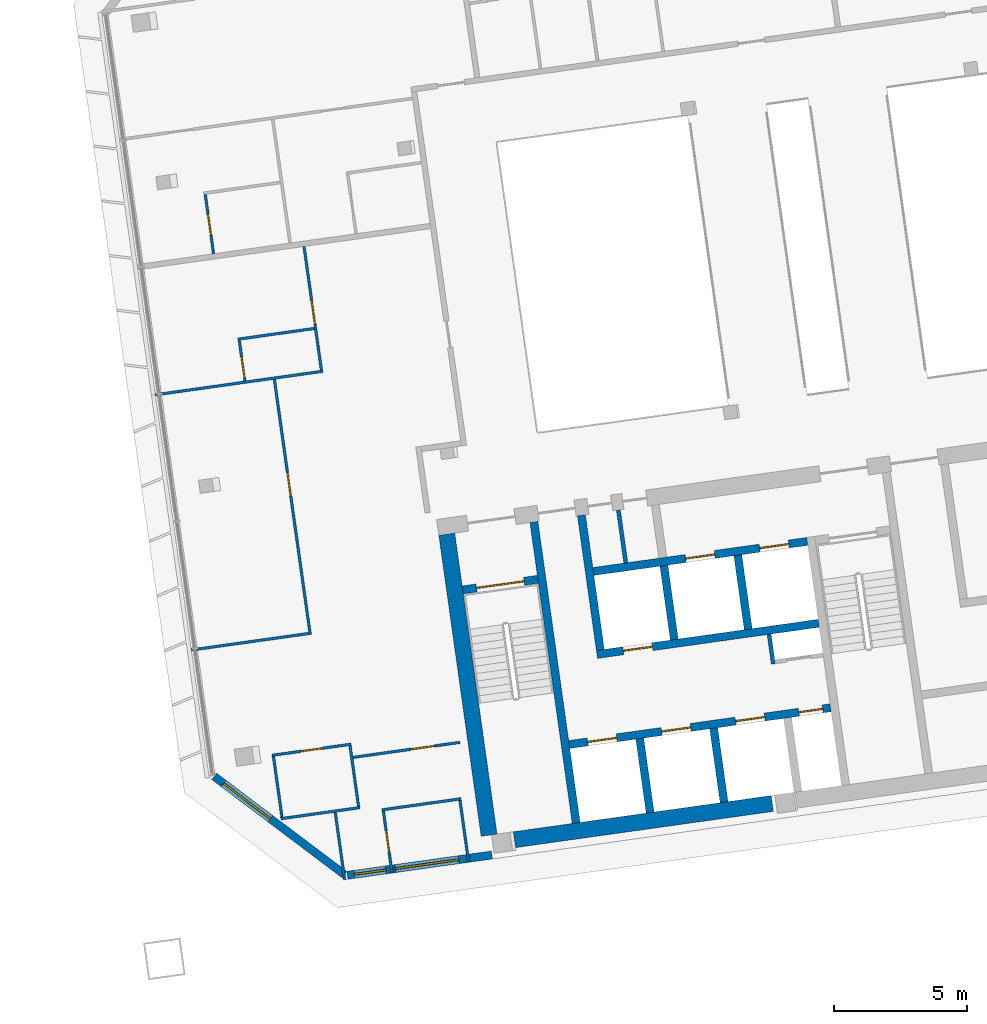
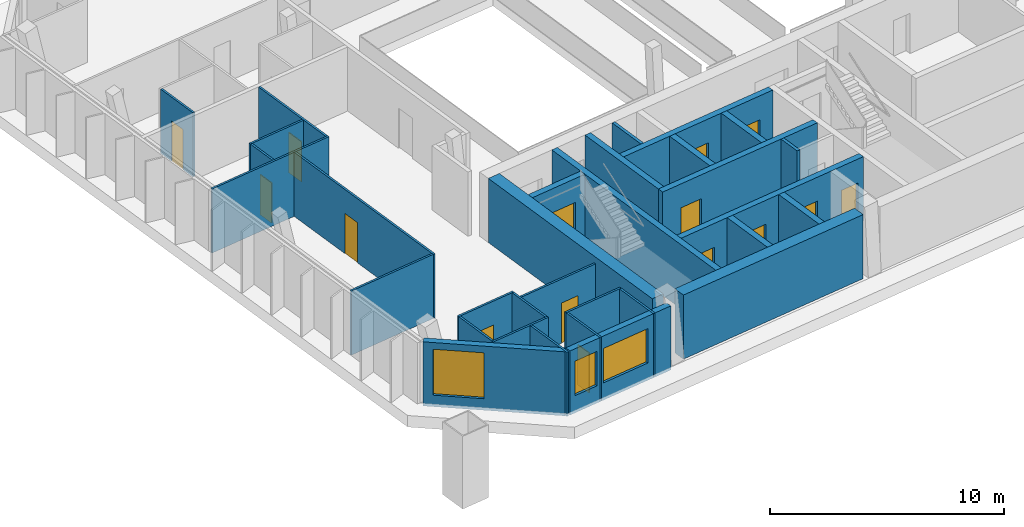
# One storey, part 18 of 26: 32 walls, 15 doors, 3 windows, 18 openings.
"""IFC4 building model written with IfcOpenShell, lengths in metres."""

import ifcopenshell
import ifcopenshell.guid

model = None  # the IFC model being written
_history = None  # IfcOwnerHistory: only IFC2X3 demands one
_inside = {}  # id of a spatial element -> (the spatial element, [elements in it])
_under = {}  # id of a project, library or spatial element -> (it, [spatial elements below it])
_declared = {}  # id of a project -> (the project, [libraries it declares])
_typed = {}  # id of a type object -> (the type object, [elements of that type])
_made_of = {}  # id of a material, layer set ... -> (it, [elements and type objects made of it])


def new_model(schema):
    """Start an empty IFC model of exactly this schema.

    Asked for "IFC4X3", IfcOpenShell would pick the latest addendum, in which some entities
    have other attributes; the version numbers below select the first issue.
    IFC2X3 requires an IfcOwnerHistory on every rooted entity: one is made here for all.
    """
    global model, _history
    if schema == "IFC4X3":
        model = ifcopenshell.file(schema_version=(4, 3, 0, 0))
    else:
        model = ifcopenshell.file(schema=schema)
    _inside.clear()
    _under.clear()
    _declared.clear()
    _typed.clear()
    _made_of.clear()
    _history = None
    if model.schema == "IFC2X3":
        org = make("IfcOrganization", Name="unknown")
        user = make(
            "IfcPersonAndOrganization",
            ThePerson=make("IfcPerson", FamilyName="unknown"),
            TheOrganization=org,
        )
        app = make(
            "IfcApplication",
            ApplicationDeveloper=org,
            Version="unknown",
            ApplicationFullName="unknown",
            ApplicationIdentifier="unknown",
        )
        _history = make(
            "IfcOwnerHistory",
            OwningUser=user,
            OwningApplication=app,
            ChangeAction="ADDED",
            CreationDate=0,
        )
    return model


def make(cls, **values):
    """One entity of the class cls with the attributes given. An attribute that is None is left unset."""
    return model.create_entity(
        cls, **{name: value for name, value in values.items() if value is not None}
    )


def rooted(cls, **values):
    """An entity with a GlobalId (a new one), such as an element, a storey or a relation."""
    return make(cls, GlobalId=ifcopenshell.guid.new(), OwnerHistory=_history, **values)


def si_unit(unit_type, name, prefix=None):
    """IfcSIUnit, for example si_unit("LENGTHUNIT", "METRE", prefix="MILLI")."""
    return make("IfcSIUnit", UnitType=unit_type, Prefix=prefix, Name=name)


def assignment(units):
    """IfcUnitAssignment: the units of a project."""
    return None if units is None else make("IfcUnitAssignment", Units=units)


def point(xyz):
    """IfcCartesianPoint."""
    return None if xyz is None else make("IfcCartesianPoint", Coordinates=xyz)


def direction(xyz):
    """IfcDirection."""
    return None if xyz is None else make("IfcDirection", DirectionRatios=xyz)


def frame(location, z_axis=None, x_axis=None):
    """IfcAxis2Placement3D, a coordinate frame: its origin and axes. An axis left out is left unset."""
    return make(
        "IfcAxis2Placement3D",
        Location=point(location),
        Axis=direction(z_axis),
        RefDirection=direction(x_axis),
    )


def frame_2d(location, x_axis=None):
    """IfcAxis2Placement2D, a coordinate frame in the plane: its origin and x axis."""
    return make(
        "IfcAxis2Placement2D", Location=point(location), RefDirection=direction(x_axis)
    )


def origin():
    """The frame at (0, 0, 0) with its axes left unset."""
    return frame((0.0, 0.0, 0.0))


def place(relative_to, where):
    """IfcLocalPlacement: puts the frame where relative to a parent placement (None: the world)."""
    return make(
        "IfcLocalPlacement", PlacementRelTo=relative_to, RelativePlacement=where
    )


def context(
    kind, dimensions, precision=None, world=None, true_north=None, identifier=None
):
    """IfcGeometricRepresentationContext, for example the 3D "Model" context."""
    return make(
        "IfcGeometricRepresentationContext",
        ContextIdentifier=identifier,
        ContextType=kind,
        CoordinateSpaceDimension=dimensions,
        Precision=precision,
        WorldCoordinateSystem=world,
        TrueNorth=true_north,
    )


def subcontext(parent, identifier, kind, view, scale=None):
    """IfcGeometricRepresentationSubContext, for example "Body" below "Model"."""
    return make(
        "IfcGeometricRepresentationSubContext",
        ContextIdentifier=identifier,
        ContextType=kind,
        ParentContext=parent,
        TargetScale=scale,
        TargetView=view,
    )


def project(units=None, contexts=None):
    """IfcProject with its units and contexts."""
    return rooted(
        "IfcProject",
        Name="project",
        RepresentationContexts=contexts,
        UnitsInContext=assignment(units),
    )


def spatial(cls, under=None, at=None, **own):
    """A site, building, storey or space (cls), placed at a placement, below another one or the project."""
    s = rooted(cls, ObjectPlacement=at, **own)
    if under is not None:
        _under.setdefault(under.id(), (under, []))[1].append(s)
    return s


def profile(cls, at=None, kind="AREA", **sizes):
    """A parametric profile (cls). Its sizes go by their IFC names, for example OverallWidth=200.0."""
    return make(cls, ProfileType=kind, Position=at, **sizes)


def rectangle(**sizes):
    """IfcRectangleProfileDef."""
    return profile("IfcRectangleProfileDef", **sizes)


def extrude(swept, where, along, depth):
    """IfcExtrudedAreaSolid: the profile swept, set in the frame where, extruded along a direction by depth."""
    return make(
        "IfcExtrudedAreaSolid",
        SweptArea=swept,
        Position=where,
        ExtrudedDirection=direction(along),
        Depth=depth,
    )


def shape(context_of_items, identifier, shape_type, items):
    """IfcShapeRepresentation: the items that make up one representation, for example the "Body"."""
    return make(
        "IfcShapeRepresentation",
        ContextOfItems=context_of_items,
        RepresentationIdentifier=identifier,
        RepresentationType=shape_type,
        Items=items,
    )


def material(Name=None, Category=None):
    """IfcMaterial."""
    return make("IfcMaterial", Name=Name, Category=Category)


def layer(
    of_material, thickness, ventilated=None, Name=None, Category=None, Priority=None
):
    """IfcMaterialLayer: one layer of a wall or slab, of a material (None: an air gap)."""
    return make(
        "IfcMaterialLayer",
        Material=of_material,
        LayerThickness=thickness,
        IsVentilated=ventilated,
        Name=Name,
        Category=Category,
        Priority=Priority,
    )


def layer_set(layers, Name=None):
    """IfcMaterialLayerSet."""
    return make("IfcMaterialLayerSet", MaterialLayers=layers, LayerSetName=Name)


def made_of(thing, what):
    """Note that an element or type object is made of a material, layer set ...; save() writes the relation."""
    if what is not None:
        _made_of.setdefault(what.id(), (what, []))[1].append(thing)
    return thing


def type_object(cls, material=None, **own):
    """A type object (cls), such as IfcWallType, which elements share."""
    return made_of(rooted(cls, **own), material)


def element(
    cls,
    number,
    at=None,
    inside=None,
    cuts=None,
    type_object=None,
    material=None,
    context=None,
    identifier="Body",
    shape_type=None,
    held_by="IfcProductDefinitionShape",
    body=None,
    shapes=None,
    **own,
):
    """One element of the class cls, such as IfcWall. Its Tag is "e" and its number.

    at: its placement. inside: the storey or other place that contains it. cuts: it is an
    opening in that element (IfcRelVoidsElement). A single representation is given by context,
    identifier, shape_type and body (its items); several are given by shapes. held_by: the class
    of the entity that holds the representations. save() writes the other relations.
    """
    e = rooted(cls, Tag="e%d" % number, ObjectPlacement=at, **own)
    if body is not None:
        shapes = [shape(context, identifier, shape_type, body)]
    if shapes is not None:
        e.Representation = make(held_by, Representations=shapes)
    if inside is not None:
        _inside.setdefault(inside.id(), (inside, []))[1].append(e)
    if cuts is not None:
        rooted(
            "IfcRelVoidsElement", RelatingBuildingElement=cuts, RelatedOpeningElement=e
        )
    if type_object is not None:
        _typed.setdefault(type_object.id(), (type_object, []))[1].append(e)
    return made_of(e, material)


def fill(opening, filler):
    """IfcRelFillsElement: the door or window that sits in an opening."""
    return rooted(
        "IfcRelFillsElement",
        RelatingOpeningElement=opening,
        RelatedBuildingElement=filler,
    )


def aggregate(whole, parts):
    """IfcRelAggregates: a whole, such as a stair, and the parts it consists of."""
    return rooted("IfcRelAggregates", RelatingObject=whole, RelatedObjects=parts)


def save(model, path):
    """Write the relations noted so far, then the file.

    IfcRelAggregates (storeys below a building ...), IfcRelContainedInSpatialStructure (elements
    in a storey), IfcRelDefinesByType, IfcRelAssociatesMaterial and IfcRelDeclares: one each for
    every whole, place, type object, material and project.
    """
    for whole, parts in _under.values():
        aggregate(whole, parts)
    for where, things in _inside.values():
        rooted(
            "IfcRelContainedInSpatialStructure",
            RelatedElements=things,
            RelatingStructure=where,
        )
    for kind, things in _typed.values():
        rooted("IfcRelDefinesByType", RelatedObjects=things, RelatingType=kind)
    for what, things in _made_of.values():
        rooted("IfcRelAssociatesMaterial", RelatedObjects=things, RelatingMaterial=what)
    for by, libraries in _declared.values():
        rooted("IfcRelDeclares", RelatingContext=by, RelatedDefinitions=libraries)
    model.write(path)


model = new_model("IFC4")

# Units and contexts
model_context = context("Model", 3, precision=1e-05, world=origin(), true_north=direction((0.0, 1.0)))
body_context = subcontext(model_context, "Body", "Model", "MODEL_VIEW")
ifc_project = project(units=[si_unit("LENGTHUNIT", "METRE"), si_unit("AREAUNIT", "SQUARE_METRE"), si_unit("VOLUMEUNIT", "CUBIC_METRE"), si_unit("PLANEANGLEUNIT", "RADIAN"), si_unit("MASSUNIT", "GRAM", prefix="KILO")], contexts=[model_context])

# Site, building, storey
site_placement = place(None, origin())
site = spatial("IfcSite", under=ifc_project, at=site_placement, CompositionType="ELEMENT")
building_placement = place(site_placement, origin())
building = spatial("IfcBuilding", under=site, at=building_placement, Name="Mirante Cascada Hotel Towers", CompositionType="ELEMENT")
storey_placement = place(building_placement, frame((0.0, 0.0, 216.6)))
storey = spatial("IfcBuildingStorey", under=building, at=storey_placement, Name="L51", CompositionType="ELEMENT", Elevation=216.6)

# Walls
ifc_material_1 = material(Name="Masonry block", Category="masonry")
ifc_layer_1 = layer(ifc_material_1, 0.15)
ifc_layer_set_1 = layer_set([ifc_layer_1], Name="Core room partition 150 block EI 30")
wall_type_1 = type_object("IfcWallType", Name="Core room partition 150 block EI 30", PredefinedType="PARTITIONING", material=ifc_layer_set_1)
wall_1_placement = place(storey_placement, frame((48.2295, -12.793, 0.0), z_axis=(0.0, 0.0, 1.0), x_axis=(-0.1391935, 0.9902652, 0.0)))
element("IfcWall", 1, at=wall_1_placement, inside=storey, type_object=wall_type_1, Name="Core wall partition T2 L51 2", PredefinedType="PARTITIONING", context=body_context, shape_type="SweptSolid", body=[
    extrude(rectangle(XDim=1.1251, YDim=0.15, at=frame_2d((0.5626, 0.0))), origin(), (0.0, 0.0, 1.0), 3.35),
])
wall_2_placement = place(storey_placement, frame((42.6979, -9.0009, 0.0), z_axis=(0.0, 0.0, 1.0), x_axis=(-0.1391529, 0.9902709, 0.0)))
element("IfcWall", 2, at=wall_2_placement, inside=storey, type_object=wall_type_1, Name="Core wall partition T2 L51 4", PredefinedType="PARTITIONING", context=body_context, shape_type="SweptSolid", body=[
    extrude(rectangle(XDim=2.0, YDim=0.15, at=frame_2d((1.0, 0.0))), origin(), (0.0, 0.0, 1.0), 3.35),
])
ifc_material_2 = material(Name="Plasterboard on metal studs")
ifc_layer_2 = layer(ifc_material_2, 0.1)
ifc_layer_set_2 = layer_set([ifc_layer_2], Name="Partition 100")
wall_type_2 = type_object("IfcWallType", Name="Partition 100", PredefinedType="PARTITIONING", material=ifc_layer_set_2)
for number, where, z_axis, x_axis, name in (
    (3, (36.5189, -17.847, 0.0), (0.0, 0.0, 1.0), (-0.9902689, -0.139167, 0.0), "Wall 2-L51-01"),
    (4, (29.7594, -18.595, 0.0), (0.0, 0.0, 1.0), (0.9902689, 0.139167, 0.0), "Wall 2-L51-02"),
):
    element("IfcWall", number, at=place(storey_placement, frame(where, z_axis=z_axis, x_axis=x_axis)), inside=storey, type_object=wall_type_2, Name=name, PredefinedType="PARTITIONING", context=body_context, shape_type="SweptSolid", body=[
        extrude(rectangle(XDim=3.0, YDim=0.1, at=frame_2d((1.5, 0.0))), origin(), (0.0, 0.0, 1.0), 3.35),
    ])

# Wall, opening, door
wall_3_placement = place(storey_placement, frame((36.4742, -15.7326, 0.0), z_axis=(0.0, 0.0, 1.0), x_axis=(-0.9902662, -0.1391867, 0.0)))
wall_3 = element("IfcWall", 5, at=wall_3_placement, inside=storey, type_object=wall_type_2, Name="Wall 2-L51-03", PredefinedType="PARTITIONING", context=body_context, shape_type="SweptSolid", body=[
    extrude(rectangle(XDim=4.0478, YDim=0.1, at=frame_2d((2.0239, 0.0))), origin(), (0.0, 0.0, 1.0), 3.35),
])
opening_1_placement = place(wall_3_placement, frame((0.9489, 0.0, 0.0)))
opening_1 = element("IfcOpeningElement", 6, at=opening_1_placement, cuts=wall_3, Name="Opening D2-L51-01", PredefinedType="OPENING", context=body_context, shape_type="SweptSolid", body=[
    extrude(rectangle(XDim=0.9, YDim=2.1, at=frame_2d((0.45, 1.05))), frame((0.0, 0.05, 0.0), z_axis=(0.0, -1.0, 0.0), x_axis=(1.0, 0.0, 0.0)), (0.0, 0.0, 1.0), 0.1),
])
ifc_material_3 = material(Name="Timber door leaf", Category="wood")
door_type_1 = type_object("IfcDoorType", Name="Room door DG3 900x2100", OperationType="SINGLE_SWING_LEFT", PredefinedType="DOOR", material=ifc_material_3)
door_1_placement = place(opening_1_placement, frame((0.9, 0.0, 0.0), z_axis=(0.0, 0.0, 1.0), x_axis=(-1.0, 0.0, 0.0)))
door_1 = element("IfcDoor", 7, at=door_1_placement, inside=storey, type_object=door_type_1, Name="Door D2-L51-01", OperationType="SINGLE_SWING_RIGHT", OverallHeight=2.1, OverallWidth=0.9, PredefinedType="DOOR", context=body_context, shape_type="SweptSolid", body=[
    extrude(rectangle(XDim=0.9, YDim=2.1, at=frame_2d((0.45, 1.05))), frame((0.0, 0.025, 0.0), z_axis=(0.0, -1.0, 0.0), x_axis=(1.0, 0.0, 0.0)), (0.0, 0.0, 1.0), 0.05),
])
fill(opening_1, door_1)

wall_4_placement = place(storey_placement, frame((29.4254, -16.2183, 0.0), z_axis=(0.0, 0.0, 1.0), x_axis=(0.9902689, 0.139167, 0.0)))
wall_4 = element("IfcWall", 8, at=wall_4_placement, inside=storey, type_object=wall_type_2, Name="Wall 2-L51-04", PredefinedType="PARTITIONING", context=body_context, shape_type="SweptSolid", body=[
    extrude(rectangle(XDim=3.0, YDim=0.1, at=frame_2d((1.5, 0.0))), origin(), (0.0, 0.0, 1.0), 3.35),
])
opening_2_placement = place(wall_4_placement, frame((1.1, 0.0, 0.0)))
opening_2 = element("IfcOpeningElement", 9, at=opening_2_placement, cuts=wall_4, Name="Opening D2-L51-02", PredefinedType="OPENING", context=body_context, shape_type="SweptSolid", body=[
    extrude(rectangle(XDim=0.8, YDim=2.1, at=frame_2d((0.4, 1.05))), frame((0.0, 0.05, 0.0), z_axis=(0.0, -1.0, 0.0), x_axis=(1.0, 0.0, 0.0)), (0.0, 0.0, 1.0), 0.1),
])
ifc_material_4 = material(Name="Timber door leaf", Category="wood")
door_type_2 = type_object("IfcDoorType", Name="Bathroom door DG4 800x2100", OperationType="SINGLE_SWING_LEFT", PredefinedType="DOOR", material=ifc_material_4)
door_2_placement = place(opening_2_placement, origin())
door_2 = element("IfcDoor", 10, at=door_2_placement, inside=storey, type_object=door_type_2, Name="Door D2-L51-02", OperationType="SINGLE_SWING_LEFT", OverallHeight=2.1, OverallWidth=0.8, PredefinedType="DOOR", context=body_context, shape_type="SweptSolid", body=[
    extrude(rectangle(XDim=0.8, YDim=2.1, at=frame_2d((0.4, 1.05))), frame((0.0, 0.025, 0.0), z_axis=(0.0, -1.0, 0.0), x_axis=(1.0, 0.0, 0.0)), (0.0, 0.0, 1.0), 0.05),
])
fill(opening_2, door_2)

# Walls
wall_5_placement = place(storey_placement, frame((30.8051, -11.6486, 0.0), z_axis=(0.0, 0.0, 1.0), x_axis=(-0.9902687, -0.1391684, 0.0)))
element("IfcWall", 11, at=wall_5_placement, inside=storey, type_object=wall_type_2, Name="Wall 2-L51-07", PredefinedType="PARTITIONING", context=body_context, shape_type="SweptSolid", body=[
    extrude(rectangle(XDim=4.45, YDim=0.1, at=frame_2d((2.225, 0.0))), origin(), (0.0, 0.0, 1.0), 3.35),
])
wall_6_placement = place(storey_placement, frame((25.053, -2.6953, 0.0), z_axis=(0.0, 0.0, 1.0), x_axis=(0.9902669, 0.1391817, 0.0)))
element("IfcWall", 12, at=wall_6_placement, inside=storey, type_object=wall_type_2, Name="Wall 2-L51-10", PredefinedType="PARTITIONING", context=body_context, shape_type="SweptSolid", body=[
    extrude(rectangle(XDim=6.3457, YDim=0.1, at=frame_2d((3.1728, 0.0))), origin(), (0.0, 0.0, 1.0), 3.35),
])
wall_7_placement = place(storey_placement, frame((31.0105, -0.2086, 0.0), z_axis=(0.0, 0.0, 1.0), x_axis=(-0.9902674, -0.1391776, 0.0)))
element("IfcWall", 13, at=wall_7_placement, inside=storey, type_object=wall_type_2, Name="Wall 2-L51-13", PredefinedType="PARTITIONING", context=body_context, shape_type="SweptSolid", body=[
    extrude(rectangle(XDim=2.8956, YDim=0.1, at=frame_2d((1.4478, 0.0))), origin(), (0.0, 0.0, 1.0), 3.35),
])
wall_8_placement = place(storey_placement, frame((29.802, -18.5385, 0.0), z_axis=(0.0, 0.0, 1.0), x_axis=(-0.1391749, 0.9902678, 0.0)))
element("IfcWall", 14, at=wall_8_placement, inside=storey, type_object=wall_type_2, Name="Wall 2-L51-28", PredefinedType="PARTITIONING", context=body_context, shape_type="SweptSolid", body=[
    extrude(rectangle(XDim=2.3, YDim=0.1, at=frame_2d((1.15, 0.0))), origin(), (0.0, 0.0, 1.0), 3.35),
])

# Wall, opening, door
wall_9_placement = place(storey_placement, frame((26.9229, 4.8214, 0.0), z_axis=(0.0, 0.0, 1.0), x_axis=(0.1391561, -0.9902705, 0.0)))
wall_9 = element("IfcWall", 15, at=wall_9_placement, inside=storey, type_object=wall_type_2, Name="Wall 2-L51-29", PredefinedType="PARTITIONING", context=body_context, shape_type="SweptSolid", body=[
    extrude(rectangle(XDim=2.25, YDim=0.1, at=frame_2d((1.125, 0.0))), origin(), (0.0, 0.0, 1.0), 3.35),
])
opening_3_placement = place(wall_9_placement, frame((0.75, 0.0, 0.0)))
opening_3 = element("IfcOpeningElement", 16, at=opening_3_placement, cuts=wall_9, Name="Opening D2-L51-15", PredefinedType="OPENING", context=body_context, shape_type="SweptSolid", body=[
    extrude(rectangle(XDim=0.8, YDim=2.1, at=frame_2d((0.4, 1.05))), frame((0.0, 0.05, 0.0), z_axis=(0.0, -1.0, 0.0), x_axis=(1.0, 0.0, 0.0)), (0.0, 0.0, 1.0), 0.1),
])
door_3_placement = place(opening_3_placement, origin())
door_3 = element("IfcDoor", 17, at=door_3_placement, inside=storey, type_object=door_type_2, Name="Door D2-L51-15", OperationType="SINGLE_SWING_LEFT", OverallHeight=2.1, OverallWidth=0.8, PredefinedType="DOOR", context=body_context, shape_type="SweptSolid", body=[
    extrude(rectangle(XDim=0.8, YDim=2.1, at=frame_2d((0.4, 1.05))), frame((0.0, 0.025, 0.0), z_axis=(0.0, -1.0, 0.0), x_axis=(1.0, 0.0, 0.0)), (0.0, 0.0, 1.0), 0.05),
])
fill(opening_3, door_3)

wall_10_placement = place(storey_placement, frame((28.413, -2.1726, 0.0), z_axis=(0.0, 0.0, 1.0), x_axis=(-0.1391749, 0.9902678, 0.0)))
wall_10 = element("IfcWall", 18, at=wall_10_placement, inside=storey, type_object=wall_type_2, Name="Wall 2-L51-30", PredefinedType="PARTITIONING", context=body_context, shape_type="SweptSolid", body=[
    extrude(rectangle(XDim=1.5333, YDim=0.1, at=frame_2d((0.7667, 0.0))), origin(), (0.0, 0.0, 1.0), 3.35),
])
opening_4_placement = place(wall_10_placement, frame((0.1, 0.0, 0.0)))
opening_4 = element("IfcOpeningElement", 19, at=opening_4_placement, cuts=wall_10, Name="Opening D2-L51-16", PredefinedType="OPENING", context=body_context, shape_type="SweptSolid", body=[
    extrude(rectangle(XDim=0.8, YDim=2.1, at=frame_2d((0.4, 1.05))), frame((0.0, 0.05, 0.0), z_axis=(0.0, -1.0, 0.0), x_axis=(1.0, 0.0, 0.0)), (0.0, 0.0, 1.0), 0.1),
])
door_4_placement = place(opening_4_placement, origin())
door_4 = element("IfcDoor", 20, at=door_4_placement, inside=storey, type_object=door_type_2, Name="Door D2-L51-16", OperationType="SINGLE_SWING_LEFT", OverallHeight=2.1, OverallWidth=0.8, PredefinedType="DOOR", context=body_context, shape_type="SweptSolid", body=[
    extrude(rectangle(XDim=0.8, YDim=2.1, at=frame_2d((0.4, 1.05))), frame((0.0, 0.025, 0.0), z_axis=(0.0, -1.0, 0.0), x_axis=(1.0, 0.0, 0.0)), (0.0, 0.0, 1.0), 0.05),
])
fill(opening_4, door_4)

# Wall
wall_11_placement = place(storey_placement, frame((31.7986, -18.3589, 0.0), z_axis=(0.0, 0.0, 1.0), x_axis=(0.1391755, -0.9902677, 0.0)))
element("IfcWall", 21, at=wall_11_placement, inside=storey, type_object=wall_type_2, Name="Wall 2-L51-31", PredefinedType="PARTITIONING", context=body_context, shape_type="SweptSolid", body=[
    extrude(rectangle(XDim=2.55, YDim=0.1, at=frame_2d((1.275, 0.0))), origin(), (0.0, 0.0, 1.0), 3.35),
])

# Wall, opening, door
wall_12_placement = place(storey_placement, frame((30.8615, -11.6911, 0.0), z_axis=(0.0, 0.0, 1.0), x_axis=(-0.1391689, 0.9902687, 0.0)))
wall_12 = element("IfcWall", 22, at=wall_12_placement, inside=storey, type_object=wall_type_2, Name="Wall 2-L51-32", PredefinedType="PARTITIONING", context=body_context, shape_type="SweptSolid", body=[
    extrude(rectangle(XDim=9.6667, YDim=0.1, at=frame_2d((4.8334, 0.0))), origin(), (0.0, 0.0, 1.0), 3.35),
])
opening_5_placement = place(wall_12_placement, frame((5.25, 0.0, 0.0)))
opening_5 = element("IfcOpeningElement", 23, at=opening_5_placement, cuts=wall_12, Name="Opening D2-L51-17", PredefinedType="OPENING", context=body_context, shape_type="SweptSolid", body=[
    extrude(rectangle(XDim=0.9, YDim=2.1, at=frame_2d((0.45, 1.05))), frame((0.0, 0.05, 0.0), z_axis=(0.0, -1.0, 0.0), x_axis=(1.0, 0.0, 0.0)), (0.0, 0.0, 1.0), 0.1),
])
door_5_placement = place(opening_5_placement, frame((0.9, 0.0, 0.0), z_axis=(0.0, 0.0, 1.0), x_axis=(-1.0, 0.0, 0.0)))
door_5 = element("IfcDoor", 24, at=door_5_placement, inside=storey, type_object=door_type_1, Name="Door D2-L51-17", OperationType="SINGLE_SWING_RIGHT", OverallHeight=2.1, OverallWidth=0.9, PredefinedType="DOOR", context=body_context, shape_type="SweptSolid", body=[
    extrude(rectangle(XDim=0.9, YDim=2.1, at=frame_2d((0.45, 1.05))), frame((0.0, 0.025, 0.0), z_axis=(0.0, -1.0, 0.0), x_axis=(1.0, 0.0, 0.0)), (0.0, 0.0, 1.0), 0.05),
])
fill(opening_5, door_5)

# Wall
wall_13_placement = place(storey_placement, frame((32.6738, -18.1349, 0.0), z_axis=(0.0, 0.0, 1.0), x_axis=(-0.1391749, 0.9902678, 0.0)))
element("IfcWall", 25, at=wall_13_placement, inside=storey, type_object=wall_type_2, Name="Wall 2-L51-34", PredefinedType="PARTITIONING", context=body_context, shape_type="SweptSolid", body=[
    extrude(rectangle(XDim=2.3, YDim=0.1, at=frame_2d((1.15, 0.0))), origin(), (0.0, 0.0, 1.0), 3.35),
])

# Wall, opening, door
wall_14_placement = place(storey_placement, frame((33.9316, -20.6342, 0.0), z_axis=(0.0, 0.0, 1.0), x_axis=(-0.1391453, 0.990272, 0.0)))
wall_14 = element("IfcWall", 26, at=wall_14_placement, inside=storey, type_object=wall_type_2, Name="Wall 2-L51-36", PredefinedType="PARTITIONING", context=body_context, shape_type="SweptSolid", body=[
    extrude(rectangle(XDim=2.3501, YDim=0.1, at=frame_2d((1.175, 0.0))), origin(), (0.0, 0.0, 1.0), 3.35),
])
opening_6_placement = place(wall_14_placement, frame((0.8, 0.0, 0.0)))
opening_6 = element("IfcOpeningElement", 27, at=opening_6_placement, cuts=wall_14, Name="Opening D2-L51-19", PredefinedType="OPENING", context=body_context, shape_type="SweptSolid", body=[
    extrude(rectangle(XDim=0.8, YDim=2.1, at=frame_2d((0.4, 1.05))), frame((0.0, 0.05, 0.0), z_axis=(0.0, -1.0, 0.0), x_axis=(1.0, 0.0, 0.0)), (0.0, 0.0, 1.0), 0.1),
])
door_6_placement = place(opening_6_placement, origin())
door_6 = element("IfcDoor", 28, at=door_6_placement, inside=storey, type_object=door_type_2, Name="Door D2-L51-19", OperationType="SINGLE_SWING_LEFT", OverallHeight=2.1, OverallWidth=0.8, PredefinedType="DOOR", context=body_context, shape_type="SweptSolid", body=[
    extrude(rectangle(XDim=0.8, YDim=2.1, at=frame_2d((0.4, 1.05))), frame((0.0, 0.025, 0.0), z_axis=(0.0, -1.0, 0.0), x_axis=(1.0, 0.0, 0.0)), (0.0, 0.0, 1.0), 0.05),
])
fill(opening_6, door_6)

wall_15_placement = place(storey_placement, frame((30.6286, 2.8682, 0.0), z_axis=(0.0, 0.0, 1.0), x_axis=(0.139173, -0.9902681, 0.0)))
wall_15 = element("IfcWall", 29, at=wall_15_placement, inside=storey, type_object=wall_type_2, Name="Wall 2-L51-37", PredefinedType="PARTITIONING", context=body_context, shape_type="SweptSolid", body=[
    extrude(rectangle(XDim=4.6834, YDim=0.1, at=frame_2d((2.3417, 0.0))), origin(), (0.0, 0.0, 1.0), 3.35),
])
opening_7_placement = place(wall_15_placement, frame((2.05, 0.0, 0.0)))
opening_7 = element("IfcOpeningElement", 30, at=opening_7_placement, cuts=wall_15, Name="Opening D2-L51-20", PredefinedType="OPENING", context=body_context, shape_type="SweptSolid", body=[
    extrude(rectangle(XDim=0.9, YDim=2.1, at=frame_2d((0.45, 1.05))), frame((0.0, 0.05, 0.0), z_axis=(0.0, -1.0, 0.0), x_axis=(1.0, 0.0, 0.0)), (0.0, 0.0, 1.0), 0.1),
])
door_7_placement = place(opening_7_placement, origin())
door_7 = element("IfcDoor", 31, at=door_7_placement, inside=storey, type_object=door_type_1, Name="Door D2-L51-20", OperationType="SINGLE_SWING_LEFT", OverallHeight=2.1, OverallWidth=0.9, PredefinedType="DOOR", context=body_context, shape_type="SweptSolid", body=[
    extrude(rectangle(XDim=0.9, YDim=2.1, at=frame_2d((0.45, 1.05))), frame((0.0, 0.025, 0.0), z_axis=(0.0, -1.0, 0.0), x_axis=(1.0, 0.0, 0.0)), (0.0, 0.0, 1.0), 0.05),
])
fill(opening_7, door_7)

# Wall
wall_16_placement = place(storey_placement, frame((36.4764, -17.9034, 0.0), z_axis=(0.0, 0.0, 1.0), x_axis=(0.1391453, -0.990272, 0.0)))
element("IfcWall", 32, at=wall_16_placement, inside=storey, type_object=wall_type_2, Name="Wall 2-L51-39", PredefinedType="PARTITIONING", context=body_context, shape_type="SweptSolid", body=[
    extrude(rectangle(XDim=2.3501, YDim=0.1, at=frame_2d((1.175, 0.0))), origin(), (0.0, 0.0, 1.0), 3.35),
])

# Wall, openings, windows
ifc_material_5 = material(Name="Precast concrete C40/50", Category="concrete")
ifc_layer_3 = layer(ifc_material_5, 0.3)
ifc_layer_set_3 = layer_set([ifc_layer_3], Name="Precast concrete C40/50 cladding wall 300")
wall_type_3 = type_object("IfcWallType", Name="Precast concrete C40/50 cladding wall 300", PredefinedType="STANDARD", material=ifc_layer_set_3)
wall_17_placement = place(storey_placement, frame((32.2556, -20.7182, 0.0), z_axis=(0.0, 0.0, 1.0), x_axis=(0.99027, 0.1391591, 0.0)))
wall_17 = element("IfcWall", 33, at=wall_17_placement, inside=storey, type_object=wall_type_3, Name="Rear cladding wall T2 L51 1", PredefinedType="STANDARD", context=body_context, shape_type="SweptSolid", body=[
    extrude(rectangle(XDim=5.4714, YDim=0.3, at=frame_2d((2.7357, 0.0))), origin(), (0.0, 0.0, 1.0), 3.35),
])
opening_8_placement = place(wall_17_placement, frame((1.8214, 0.0, 0.9)))
opening_8 = element("IfcOpeningElement", 34, at=opening_8_placement, cuts=wall_17, Name="Opening W2-51-01", PredefinedType="OPENING", context=body_context, shape_type="SweptSolid", body=[
    extrude(rectangle(XDim=2.4, YDim=1.8, at=frame_2d((1.2, 0.9))), frame((0.0, 0.15, 0.0), z_axis=(0.0, -1.0, 0.0), x_axis=(1.0, 0.0, 0.0)), (0.0, 0.0, 1.0), 0.3),
])
opening_9_placement = place(wall_17_placement, frame((0.2607, 0.0, 0.9)))
opening_9 = element("IfcOpeningElement", 35, at=opening_9_placement, cuts=wall_17, Name="Opening W2-51-07", PredefinedType="OPENING", context=body_context, shape_type="SweptSolid", body=[
    extrude(rectangle(XDim=1.2, YDim=1.8, at=frame_2d((0.6, 0.9))), frame((0.0, 0.15, 0.0), z_axis=(0.0, -1.0, 0.0), x_axis=(1.0, 0.0, 0.0)), (0.0, 0.0, 1.0), 0.3),
])
ifc_material_6 = material(Name="Aluminium frame with clear double glazing", Category="aluminium")
window_type_1 = type_object("IfcWindowType", Name="Punched window 1200x1800", PartitioningType="DOUBLE_PANEL_VERTICAL", PredefinedType="WINDOW", material=ifc_material_6)
window_1_placement = place(opening_9_placement, origin())
window_1 = element("IfcWindow", 36, at=window_1_placement, inside=storey, type_object=window_type_1, Name="Window W2-51-07", OverallHeight=1.8, OverallWidth=1.2, PartitioningType="SINGLE_PANEL", PredefinedType="WINDOW", context=body_context, shape_type="SweptSolid", body=[
    extrude(rectangle(XDim=1.2, YDim=1.8, at=frame_2d((0.6, 0.9))), frame((0.0, 0.03, 0.0), z_axis=(0.0, -1.0, 0.0), x_axis=(1.0, 0.0, 0.0)), (0.0, 0.0, 1.0), 0.06),
])
fill(opening_9, window_1)
ifc_material_7 = material(Name="Aluminium frame with clear double glazing", Category="aluminium")
window_type_2 = type_object("IfcWindowType", Name="Punched window 2400x1800", PartitioningType="DOUBLE_PANEL_VERTICAL", PredefinedType="WINDOW", material=ifc_material_7)
window_2_placement = place(opening_8_placement, origin())
window_2 = element("IfcWindow", 37, at=window_2_placement, inside=storey, type_object=window_type_2, Name="Window W2-51-01", OverallHeight=1.8, OverallWidth=2.4, PartitioningType="SINGLE_PANEL", PredefinedType="WINDOW", context=body_context, shape_type="SweptSolid", body=[
    extrude(rectangle(XDim=2.4, YDim=1.8, at=frame_2d((1.2, 0.9))), frame((0.0, 0.03, 0.0), z_axis=(0.0, -1.0, 0.0), x_axis=(1.0, 0.0, 0.0)), (0.0, 0.0, 1.0), 0.06),
])
fill(opening_8, window_2)

# Wall, opening, window
wall_18_placement = place(storey_placement, frame((27.2605, -17.009, 0.0), z_axis=(0.0, 0.0, 1.0), x_axis=(0.7986283, -0.6018245, 0.0)))
wall_18 = element("IfcWall", 38, at=wall_18_placement, inside=storey, type_object=wall_type_3, Name="Corner cladding wall T2 L51 inner rear", PredefinedType="STANDARD", context=body_context, shape_type="SweptSolid", body=[
    extrude(rectangle(XDim=6.1157, YDim=0.3, at=frame_2d((3.0578, 0.0))), origin(), (0.0, 0.0, 1.0), 3.35),
])
opening_10_placement = place(wall_18_placement, frame((0.4375, 0.0, 0.6)))
opening_10 = element("IfcOpeningElement", 39, at=opening_10_placement, cuts=wall_18, Name="Opening W2-51-05", PredefinedType="OPENING", context=body_context, shape_type="SweptSolid", body=[
    extrude(rectangle(XDim=2.2, YDim=2.4, at=frame_2d((1.1, 1.2))), frame((0.0, 0.15, 0.0), z_axis=(0.0, -1.0, 0.0), x_axis=(1.0, 0.0, 0.0)), (0.0, 0.0, 1.0), 0.3),
])
ifc_material_8 = material(Name="Aluminium frame with clear double glazing", Category="aluminium")
window_type_3 = type_object("IfcWindowType", Name="Corner suite window 2200x2400", PartitioningType="DOUBLE_PANEL_VERTICAL", PredefinedType="WINDOW", material=ifc_material_8)
window_3_placement = place(opening_10_placement, origin())
window_3 = element("IfcWindow", 40, at=window_3_placement, inside=storey, type_object=window_type_3, Name="Window W2-51-05", OverallHeight=2.4, OverallWidth=2.2, PartitioningType="SINGLE_PANEL", PredefinedType="WINDOW", context=body_context, shape_type="SweptSolid", body=[
    extrude(rectangle(XDim=2.2, YDim=2.4, at=frame_2d((1.1, 1.2))), frame((0.0, 0.03, 0.0), z_axis=(0.0, -1.0, 0.0), x_axis=(1.0, 0.0, 0.0)), (0.0, 0.0, 1.0), 0.06),
])
fill(opening_10, window_3)

# Wall
ifc_material_9 = material(Name="Concrete C50/60", Category="concrete")
ifc_layer_4 = layer(ifc_material_9, 0.3)
ifc_layer_set_4 = layer_set([ifc_layer_4], Name="RC core wall 300 C50/60")
wall_type_4 = type_object("IfcWallType", Name="RC core wall 300 C50/60", PredefinedType="SHEAR", material=ifc_layer_set_4)
wall_19_placement = place(storey_placement, frame((40.8373, -18.7548, 0.0), z_axis=(0.0, 0.0, 1.0), x_axis=(-0.1391749, 0.9902678, 0.0)))
element("IfcWall", 41, at=wall_19_placement, inside=storey, type_object=wall_type_4, Name="Core wall T2:L51:5", PredefinedType="SHEAR", context=body_context, shape_type="SweptSolid", body=[
    extrude(rectangle(XDim=11.4, YDim=0.3, at=frame_2d((5.7, 0.0))), origin(), (0.0, 0.0, 1.0), 3.35),
])

# Wall, opening, door
wall_20_placement = place(storey_placement, frame((36.5791, -10.0123, 0.0), z_axis=(0.0, 0.0, 1.0), x_axis=(0.9902704, 0.1391564, 0.0)))
wall_20 = element("IfcWall", 42, at=wall_20_placement, inside=storey, type_object=wall_type_4, Name="Core wall T2:L51:8", PredefinedType="SHEAR", context=body_context, shape_type="SweptSolid", body=[
    extrude(rectangle(XDim=2.85, YDim=0.3, at=frame_2d((1.425, 0.0))), origin(), (0.0, 0.0, 1.0), 3.35),
])
opening_11_placement = place(wall_20_placement, frame((0.525, 0.0, 0.0)))
opening_11 = element("IfcOpeningElement", 43, at=opening_11_placement, cuts=wall_20, Name="Opening D2-51-C07", PredefinedType="OPENING", context=body_context, shape_type="SweptSolid", body=[
    extrude(rectangle(XDim=1.8, YDim=2.1, at=frame_2d((0.9, 1.05))), frame((0.0, 0.15, 0.0), z_axis=(0.0, -1.0, 0.0), x_axis=(1.0, 0.0, 0.0)), (0.0, 0.0, 1.0), 0.3),
])
ifc_material_10 = material(Name="Hollow metal fire door leaf")
door_type_3 = type_object("IfcDoorType", Name="Double fire door 1800x2100 FD60", OperationType="DOUBLE_DOOR_SINGLE_SWING", PredefinedType="DOOR", material=ifc_material_10)
door_8_placement = place(opening_11_placement, frame((1.8, 0.0, 0.0), z_axis=(0.0, 0.0, 1.0), x_axis=(-1.0, 0.0, 0.0)))
door_8 = element("IfcDoor", 44, at=door_8_placement, inside=storey, type_object=door_type_3, Name="Stair door T2 L51 7", OperationType="DOUBLE_DOOR_SINGLE_SWING", OverallHeight=2.1, OverallWidth=1.8, PredefinedType="DOOR", context=body_context, shape_type="SweptSolid", body=[
    extrude(rectangle(XDim=0.895, YDim=2.1, at=frame_2d((0.4475, 1.05))), frame((0.0, 0.025, 0.0), z_axis=(0.0, -1.0, 0.0), x_axis=(1.0, 0.0, 0.0)), (0.0, 0.0, 1.0), 0.05),
    extrude(rectangle(XDim=0.895, YDim=2.1, at=frame_2d((1.3525, 1.05))), frame((0.0, 0.025, 0.0), z_axis=(0.0, -1.0, 0.0), x_axis=(1.0, 0.0, 0.0)), (0.0, 0.0, 1.0), 0.05),
])
fill(opening_11, door_8)

# Wall, openings, doors
wall_21_placement = place(storey_placement, frame((40.5753, -15.8126, 0.0), z_axis=(0.0, 0.0, 1.0), x_axis=(0.9902682, 0.1391725, 0.0)))
wall_21 = element("IfcWall", 45, at=wall_21_placement, inside=storey, type_object=wall_type_4, Name="Core wall T2:L51:10", PredefinedType="SHEAR", context=body_context, shape_type="SweptSolid", body=[
    extrude(rectangle(XDim=9.8999, YDim=0.3, at=frame_2d((4.95, 0.0))), origin(), (0.0, 0.0, 1.0), 3.35),
])
opening_12_placement = place(wall_21_placement, frame((0.7, 0.0, 0.0)))
opening_12 = element("IfcOpeningElement", 46, at=opening_12_placement, cuts=wall_21, Name="Opening LD", PredefinedType="OPENING", context=body_context, shape_type="SweptSolid", body=[
    extrude(rectangle(XDim=1.1, YDim=2.1, at=frame_2d((0.55, 1.05))), frame((0.0, 0.15, 0.0), z_axis=(0.0, -1.0, 0.0), x_axis=(1.0, 0.0, 0.0)), (0.0, 0.0, 1.0), 0.3),
])
opening_13_placement = place(wall_21_placement, frame((3.5, 0.0, 0.0)))
opening_13 = element("IfcOpeningElement", 47, at=opening_13_placement, cuts=wall_21, Name="Opening LD", PredefinedType="OPENING", context=body_context, shape_type="SweptSolid", body=[
    extrude(rectangle(XDim=1.1, YDim=2.1, at=frame_2d((0.55, 1.05))), frame((0.0, 0.15, 0.0), z_axis=(0.0, -1.0, 0.0), x_axis=(1.0, 0.0, 0.0)), (0.0, 0.0, 1.0), 0.3),
])
opening_14_placement = place(wall_21_placement, frame((6.3, 0.0, 0.0)))
opening_14 = element("IfcOpeningElement", 48, at=opening_14_placement, cuts=wall_21, Name="Opening LD", PredefinedType="OPENING", context=body_context, shape_type="SweptSolid", body=[
    extrude(rectangle(XDim=1.1, YDim=2.1, at=frame_2d((0.55, 1.05))), frame((0.0, 0.15, 0.0), z_axis=(0.0, -1.0, 0.0), x_axis=(1.0, 0.0, 0.0)), (0.0, 0.0, 1.0), 0.3),
])
opening_15_placement = place(wall_21_placement, frame((8.7, 0.0, 0.0)))
opening_15 = element("IfcOpeningElement", 49, at=opening_15_placement, cuts=wall_21, Name="Opening D2-51-C14", PredefinedType="OPENING", context=body_context, shape_type="SweptSolid", body=[
    extrude(rectangle(XDim=0.9, YDim=2.1, at=frame_2d((0.45, 1.05))), frame((0.0, 0.15, 0.0), z_axis=(0.0, -1.0, 0.0), x_axis=(1.0, 0.0, 0.0)), (0.0, 0.0, 1.0), 0.3),
])
ifc_material_11 = material(Name="Hollow metal fire door leaf")
door_type_4 = type_object("IfcDoorType", Name="Fire door 900x2100 FD60", OperationType="NOTDEFINED", PredefinedType="DOOR", material=ifc_material_11)
door_9_placement = place(opening_15_placement, frame((0.9, 0.0, 0.0), z_axis=(0.0, 0.0, 1.0), x_axis=(-1.0, 0.0, 0.0)))
door_9 = element("IfcDoor", 50, at=door_9_placement, inside=storey, type_object=door_type_4, Name="Riser door T2 L51 14", OperationType="SINGLE_SWING_RIGHT", OverallHeight=2.1, OverallWidth=0.9, PredefinedType="DOOR", context=body_context, shape_type="SweptSolid", body=[
    extrude(rectangle(XDim=0.9, YDim=2.1, at=frame_2d((0.45, 1.05))), frame((0.0, 0.025, 0.0), z_axis=(0.0, -1.0, 0.0), x_axis=(1.0, 0.0, 0.0)), (0.0, 0.0, 1.0), 0.05),
])
fill(opening_15, door_9)
ifc_material_12 = material(Name="Stainless steel", Category="steel")
door_type_5 = type_object("IfcDoorType", Name="Lift landing door 1100x2100 EI 120", OperationType="DOUBLE_DOOR_SLIDING", PredefinedType="DOOR", material=ifc_material_12)
door_10_placement = place(opening_12_placement, origin())
door_10 = element("IfcDoor", 51, at=door_10_placement, inside=storey, type_object=door_type_5, Name="Lift landing door HR2-1 L51", OperationType="DOUBLE_DOOR_SLIDING", OverallHeight=2.1, OverallWidth=1.1, PredefinedType="DOOR", context=body_context, shape_type="SweptSolid", body=[
    extrude(rectangle(XDim=0.545, YDim=2.1, at=frame_2d((0.2725, 1.05))), frame((0.0, 0.025, 0.0), z_axis=(0.0, -1.0, 0.0), x_axis=(1.0, 0.0, 0.0)), (0.0, 0.0, 1.0), 0.05),
    extrude(rectangle(XDim=0.545, YDim=2.1, at=frame_2d((0.8275, 1.05))), frame((0.0, 0.025, 0.0), z_axis=(0.0, -1.0, 0.0), x_axis=(1.0, 0.0, 0.0)), (0.0, 0.0, 1.0), 0.05),
])
fill(opening_12, door_10)
door_11_placement = place(opening_13_placement, origin())
door_11 = element("IfcDoor", 52, at=door_11_placement, inside=storey, type_object=door_type_5, Name="Lift landing door HR2-2 L51", OperationType="DOUBLE_DOOR_SLIDING", OverallHeight=2.1, OverallWidth=1.1, PredefinedType="DOOR", context=body_context, shape_type="SweptSolid", body=[
    extrude(rectangle(XDim=0.545, YDim=2.1, at=frame_2d((0.2725, 1.05))), frame((0.0, 0.025, 0.0), z_axis=(0.0, -1.0, 0.0), x_axis=(1.0, 0.0, 0.0)), (0.0, 0.0, 1.0), 0.05),
    extrude(rectangle(XDim=0.545, YDim=2.1, at=frame_2d((0.8275, 1.05))), frame((0.0, 0.025, 0.0), z_axis=(0.0, -1.0, 0.0), x_axis=(1.0, 0.0, 0.0)), (0.0, 0.0, 1.0), 0.05),
])
fill(opening_13, door_11)
door_12_placement = place(opening_14_placement, origin())
door_12 = element("IfcDoor", 53, at=door_12_placement, inside=storey, type_object=door_type_5, Name="Lift landing door HR2-3 L51", OperationType="DOUBLE_DOOR_SLIDING", OverallHeight=2.1, OverallWidth=1.1, PredefinedType="DOOR", context=body_context, shape_type="SweptSolid", body=[
    extrude(rectangle(XDim=0.545, YDim=2.1, at=frame_2d((0.2725, 1.05))), frame((0.0, 0.025, 0.0), z_axis=(0.0, -1.0, 0.0), x_axis=(1.0, 0.0, 0.0)), (0.0, 0.0, 1.0), 0.05),
    extrude(rectangle(XDim=0.545, YDim=2.1, at=frame_2d((0.8275, 1.05))), frame((0.0, 0.025, 0.0), z_axis=(0.0, -1.0, 0.0), x_axis=(1.0, 0.0, 0.0)), (0.0, 0.0, 1.0), 0.05),
])
fill(opening_14, door_12)

# Wall, opening, door
wall_22_placement = place(storey_placement, frame((41.6153, -12.435, 0.0), z_axis=(0.0, 0.0, 1.0), x_axis=(0.9902691, 0.139166, 0.0)))
wall_22 = element("IfcWall", 54, at=wall_22_placement, inside=storey, type_object=wall_type_4, Name="Core wall T2:L51:11", PredefinedType="SHEAR", context=body_context, shape_type="SweptSolid", body=[
    extrude(rectangle(XDim=8.4, YDim=0.3, at=frame_2d((4.2, 0.0))), origin(), (0.0, 0.0, 1.0), 3.35),
])
opening_16_placement = place(wall_22_placement, frame((1.0, 0.0, 0.0)))
opening_16 = element("IfcOpeningElement", 55, at=opening_16_placement, cuts=wall_22, Name="Opening LD", PredefinedType="OPENING", context=body_context, shape_type="SweptSolid", body=[
    extrude(rectangle(XDim=1.1, YDim=2.1, at=frame_2d((0.55, 1.05))), frame((0.0, 0.15, 0.0), z_axis=(0.0, -1.0, 0.0), x_axis=(1.0, 0.0, 0.0)), (0.0, 0.0, 1.0), 0.3),
])
door_13_placement = place(opening_16_placement, origin())
door_13 = element("IfcDoor", 56, at=door_13_placement, inside=storey, type_object=door_type_5, Name="Lift landing door HR2-4 L51", OperationType="DOUBLE_DOOR_SLIDING", OverallHeight=2.1, OverallWidth=1.1, PredefinedType="DOOR", context=body_context, shape_type="SweptSolid", body=[
    extrude(rectangle(XDim=0.545, YDim=2.1, at=frame_2d((0.2725, 1.05))), frame((0.0, 0.025, 0.0), z_axis=(0.0, -1.0, 0.0), x_axis=(1.0, 0.0, 0.0)), (0.0, 0.0, 1.0), 0.05),
    extrude(rectangle(XDim=0.545, YDim=2.1, at=frame_2d((0.8275, 1.05))), frame((0.0, 0.025, 0.0), z_axis=(0.0, -1.0, 0.0), x_axis=(1.0, 0.0, 0.0)), (0.0, 0.0, 1.0), 0.05),
])
fill(opening_16, door_13)

# Wall, openings, doors
wall_23_placement = place(storey_placement, frame((41.481, -9.3234, 0.0), z_axis=(0.0, 0.0, 1.0), x_axis=(0.9902679, 0.1391741, 0.0)))
wall_23 = element("IfcWall", 57, at=wall_23_placement, inside=storey, type_object=wall_type_4, Name="Core wall T2:L51:12", PredefinedType="SHEAR", context=body_context, shape_type="SweptSolid", body=[
    extrude(rectangle(XDim=8.0999, YDim=0.3, at=frame_2d((4.05, 0.0))), origin(), (0.0, 0.0, 1.0), 3.35),
])
opening_17_placement = place(wall_23_placement, frame((3.5, 0.0, 0.0)))
opening_17 = element("IfcOpeningElement", 58, at=opening_17_placement, cuts=wall_23, Name="Opening LD", PredefinedType="OPENING", context=body_context, shape_type="SweptSolid", body=[
    extrude(rectangle(XDim=1.1, YDim=2.1, at=frame_2d((0.55, 1.05))), frame((0.0, 0.15, 0.0), z_axis=(0.0, -1.0, 0.0), x_axis=(1.0, 0.0, 0.0)), (0.0, 0.0, 1.0), 0.3),
])
opening_18_placement = place(wall_23_placement, frame((6.3, 0.0, 0.0)))
opening_18 = element("IfcOpeningElement", 59, at=opening_18_placement, cuts=wall_23, Name="Opening LD", PredefinedType="OPENING", context=body_context, shape_type="SweptSolid", body=[
    extrude(rectangle(XDim=1.1, YDim=2.1, at=frame_2d((0.55, 1.05))), frame((0.0, 0.15, 0.0), z_axis=(0.0, -1.0, 0.0), x_axis=(1.0, 0.0, 0.0)), (0.0, 0.0, 1.0), 0.3),
])
door_14_placement = place(opening_17_placement, origin())
door_14 = element("IfcDoor", 60, at=door_14_placement, inside=storey, type_object=door_type_5, Name="Lift landing door FF3 L51", OperationType="DOUBLE_DOOR_SLIDING", OverallHeight=2.1, OverallWidth=1.1, PredefinedType="DOOR", context=body_context, shape_type="SweptSolid", body=[
    extrude(rectangle(XDim=0.545, YDim=2.1, at=frame_2d((0.2725, 1.05))), frame((0.0, 0.025, 0.0), z_axis=(0.0, -1.0, 0.0), x_axis=(1.0, 0.0, 0.0)), (0.0, 0.0, 1.0), 0.05),
    extrude(rectangle(XDim=0.545, YDim=2.1, at=frame_2d((0.8275, 1.05))), frame((0.0, 0.025, 0.0), z_axis=(0.0, -1.0, 0.0), x_axis=(1.0, 0.0, 0.0)), (0.0, 0.0, 1.0), 0.05),
])
fill(opening_17, door_14)
door_15_placement = place(opening_18_placement, origin())
door_15 = element("IfcDoor", 61, at=door_15_placement, inside=storey, type_object=door_type_5, Name="Lift landing door FF4 L51", OperationType="DOUBLE_DOOR_SLIDING", OverallHeight=2.1, OverallWidth=1.1, PredefinedType="DOOR", context=body_context, shape_type="SweptSolid", body=[
    extrude(rectangle(XDim=0.545, YDim=2.1, at=frame_2d((0.2725, 1.05))), frame((0.0, 0.025, 0.0), z_axis=(0.0, -1.0, 0.0), x_axis=(1.0, 0.0, 0.0)), (0.0, 0.0, 1.0), 0.05),
    extrude(rectangle(XDim=0.545, YDim=2.1, at=frame_2d((0.8275, 1.05))), frame((0.0, 0.025, 0.0), z_axis=(0.0, -1.0, 0.0), x_axis=(1.0, 0.0, 0.0)), (0.0, 0.0, 1.0), 0.05),
])
fill(opening_18, door_15)

# Walls
wall_24_placement = place(storey_placement, frame((43.61, -18.3651, 0.0), z_axis=(0.0, 0.0, 1.0), x_axis=(-0.1391459, 0.9902719, 0.0)))
element("IfcWall", 62, at=wall_24_placement, inside=storey, type_object=wall_type_4, Name="Core wall T2:L51:13", PredefinedType="SHEAR", context=body_context, shape_type="SweptSolid", body=[
    extrude(rectangle(XDim=2.7999, YDim=0.3, at=frame_2d((1.4, 0.0))), origin(), (0.0, 0.0, 1.0), 3.35),
])
for number, where, z_axis, x_axis, name in (
    (63, (46.3828, -17.9754, 0.0), (0.0, 0.0, 1.0), (-0.139181, 0.990267, 0.0), "Core wall T2:L51:14"),
    (64, (44.5157, -11.8759, 0.0), (0.0, 0.0, 1.0), (-0.139181, 0.990267, 0.0), "Core wall T2:L51:16"),
    (65, (47.2885, -11.4862, 0.0), (0.0, 0.0, 1.0), (-0.139181, 0.990267, 0.0), "Core wall T2:L51:17"),
):
    element("IfcWall", number, at=place(storey_placement, frame(where, z_axis=z_axis, x_axis=x_axis)), inside=storey, type_object=wall_type_4, Name=name, PredefinedType="SHEAR", context=body_context, shape_type="SweptSolid", body=[
        extrude(rectangle(XDim=2.8, YDim=0.3, at=frame_2d((1.4, 0.0))), origin(), (0.0, 0.0, 1.0), 3.35),
    ])
wall_25_placement = place(storey_placement, frame((41.743, -12.2656, 0.0), z_axis=(0.0, 0.0, 1.0), x_axis=(-0.1391755, 0.9902677, 0.0)))
element("IfcWall", 66, at=wall_25_placement, inside=storey, type_object=wall_type_4, Name="Core wall T2:L51:18", PredefinedType="SHEAR", context=body_context, shape_type="SweptSolid", body=[
    extrude(rectangle(XDim=5.1, YDim=0.3, at=frame_2d((2.55, 0.0))), origin(), (0.0, 0.0, 1.0), 3.35),
])
ifc_material_13 = material(Name="Concrete C50/60", Category="concrete")
ifc_layer_5 = layer(ifc_material_13, 0.6)
ifc_layer_set_5 = layer_set([ifc_layer_5], Name="RC core wall 600 C50/60")
wall_type_5 = type_object("IfcWallType", Name="RC core wall 600 C50/60", PredefinedType="SHEAR", material=ifc_layer_set_5)
wall_26_placement = place(storey_placement, frame((38.5218, -19.3832, 0.0), z_axis=(0.0, 0.0, 1.0), x_axis=(0.9902674, 0.1391779, 0.0)))
element("IfcWall", 67, at=wall_26_placement, inside=storey, type_object=wall_type_5, Name="Core wall T2:L51:1.1", PredefinedType="SHEAR", context=body_context, shape_type="SweptSolid", body=[
    extrude(rectangle(XDim=9.7616, YDim=0.6, at=frame_2d((4.8808, 0.0))), origin(), (0.0, 0.0, 1.0), 3.35),
])
wall_27_placement = place(storey_placement, frame((37.5694, -19.2141, 0.0), z_axis=(0.0, 0.0, 1.0), x_axis=(-0.1391749, 0.9902678, 0.0)))
element("IfcWall", 68, at=wall_27_placement, inside=storey, type_object=wall_type_5, Name="Core wall T2:L51:3", PredefinedType="SHEAR", context=body_context, shape_type="SweptSolid", body=[
    extrude(rectangle(XDim=11.4, YDim=0.6, at=frame_2d((5.7, 0.0))), origin(), (0.0, 0.0, 1.0), 3.35),
])

save(model, "model.ifc")
